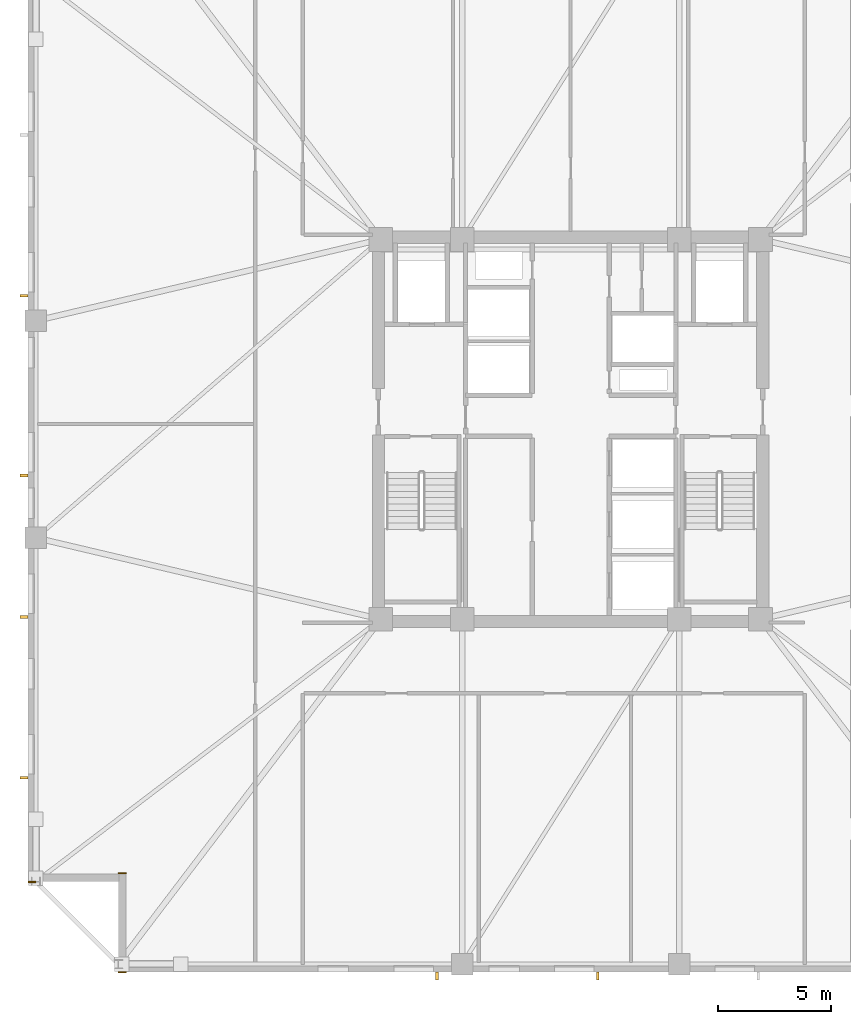
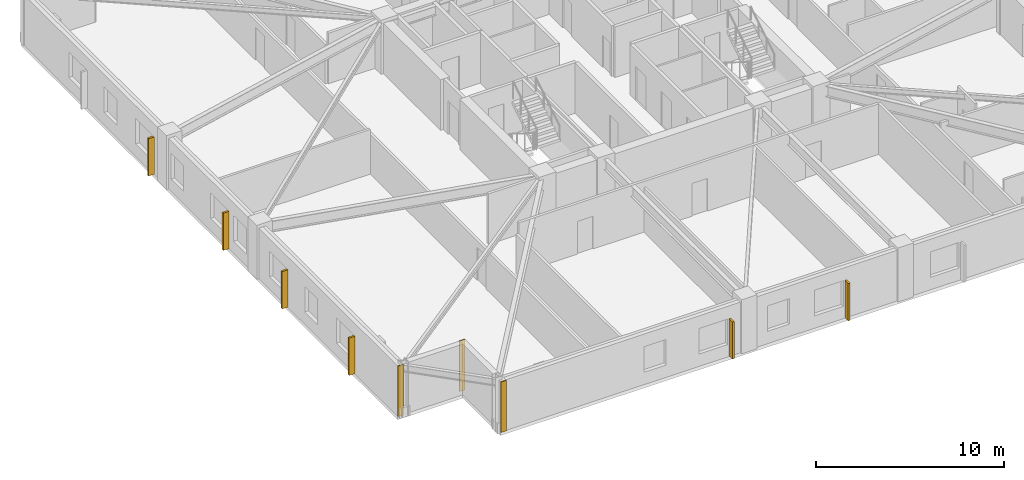
# One storey, part 6 of 10: 6 shading devices, 3 coverings.
"""IFC4 building model written with IfcOpenShell, lengths in metres."""

from ifc_helpers import new_model, si_unit, direction, frame, frame_2d, origin, origin_2d, place, context, subcontext, project, spatial, rectangle, extrude, material, layer, layer_set, type_object, element, save


model = new_model("IFC4")

# Units and contexts
model_context = context("Model", 3, precision=1e-05, world=origin(), true_north=direction((0.0, 1.0)))
body_context = subcontext(model_context, "Body", "Model", "MODEL_VIEW")
ifc_project = project(units=[si_unit("LENGTHUNIT", "METRE"), si_unit("AREAUNIT", "SQUARE_METRE"), si_unit("VOLUMEUNIT", "CUBIC_METRE"), si_unit("PLANEANGLEUNIT", "RADIAN"), si_unit("MASSUNIT", "GRAM", prefix="KILO")], contexts=[model_context])

# Site, building, storey
site_placement = place(None, origin())
site = spatial("IfcSite", under=ifc_project, at=site_placement, CompositionType="ELEMENT")
building_placement = place(site_placement, origin())
building = spatial("IfcBuilding", under=site, at=building_placement, Name="Cairnveth Concourse Tower", CompositionType="ELEMENT")
storey_placement = place(building_placement, frame((0.0, 0.0, 179.5)))
storey = spatial("IfcBuildingStorey", under=building, at=storey_placement, Name="L49", CompositionType="ELEMENT", Elevation=179.5)

# Coverings
ifc_material_1 = material(Name="Dressed Melbourne Bluestone Cladding", Category="masonry")
ifc_layer = layer(ifc_material_1, 0.050048828125)
ifc_layer_set = layer_set([ifc_layer], Name="Dressed Melbourne Bluestone Cladding")
covering_type = type_object("IfcCoveringType", Name="DRESSED BLUESTONE PLINTH CLADDING 50", PredefinedType="CLADDING", material=ifc_layer_set)
for number, where, z_axis, x_axis, name in (
    (1, (32.340087890625, 14.97998046875, 0.0), (0.0, 0.0, 1.0), (-1.0, 0.0, 0.0), "Melbourne Bluestone Corner Quoin L49-727"),
    (2, (32.340087890625, 19.360107421875, 0.0), (0.0, 0.0, 1.0), (-1.0, 0.0, 0.0), "Melbourne Bluestone Corner Quoin L49-728"),
    (3, (28.340087890625, 18.97998046875, 0.0), (0.0, 0.0, 1.0), (-1.0, 0.0, 0.0), "Melbourne Bluestone Corner Quoin L49-729"),
):
    element("IfcCovering", number, at=place(storey_placement, frame(where, z_axis=z_axis, x_axis=x_axis)), inside=storey, type_object=covering_type, Name=name, PredefinedType="CLADDING", context=body_context, shape_type="SweptSolid", body=[
        extrude(rectangle(XDim=0.340087890625, YDim=0.050048828125, at=frame_2d((0.169921875, 0.0))), origin(), (0.0, 0.0, 1.0), 3.280029296875),
    ])

# Shading devices
ifc_material_2 = material(Name="Architectural Bronze Anodised Aluminium 6063-T6", Category="aluminium")
shading_device_type = type_object("IfcShadingDeviceType", Name="GOTHIC BRONZE VERTICAL LANCET FIN", PredefinedType="USERDEFINED", material=ifc_material_2)
for number, where, z_axis, x_axis, name in (
    (4, (53.194091796875, 14.824951171875, 0.030029296875), (0.0, 0.0, 1.0), (1.0, 0.0, 0.0), "Gothic Bronze Vertical Fin L49-3-5"),
    (5, (46.0869140625, 14.824951171875, 0.030029296875), (0.0, 0.0, 1.0), (1.0, 0.0, 0.0), "Gothic Bronze Vertical Fin L49-3-7"),
    (6, (27.824951171875, 23.591796875, 0.030029296875), (0.0, 0.0, 1.0), (0.0, 1.0, 0.0), "Gothic Bronze Vertical Fin L49-6-1"),
    (7, (27.824951171875, 30.698974609375, 0.030029296875), (0.0, 0.0, 1.0), (0.0, 1.0, 0.0), "Gothic Bronze Vertical Fin L49-6-3"),
    (8, (27.824951171875, 36.9560546875, 0.030029296875), (0.0, 0.0, 1.0), (0.0, 1.0, 0.0), "Gothic Bronze Vertical Fin L49-6-5"),
    (9, (27.824951171875, 44.9130859375, 0.030029296875), (0.0, 0.0, 1.0), (0.0, 1.0, 0.0), "Gothic Bronze Vertical Fin L49-6-7"),
):
    element("IfcShadingDevice", number, at=place(storey_placement, frame(where, z_axis=z_axis, x_axis=x_axis)), inside=storey, type_object=shading_device_type, Name=name, ObjectType="VERTICAL FIN", PredefinedType="USERDEFINED", context=body_context, shape_type="SweptSolid", body=[
        extrude(rectangle(XDim=0.1201171875, YDim=0.360107421875, at=origin_2d()), origin(), (0.0, 0.0, 1.0), 2.419921875),
    ])

save(model, "model.ifc")
